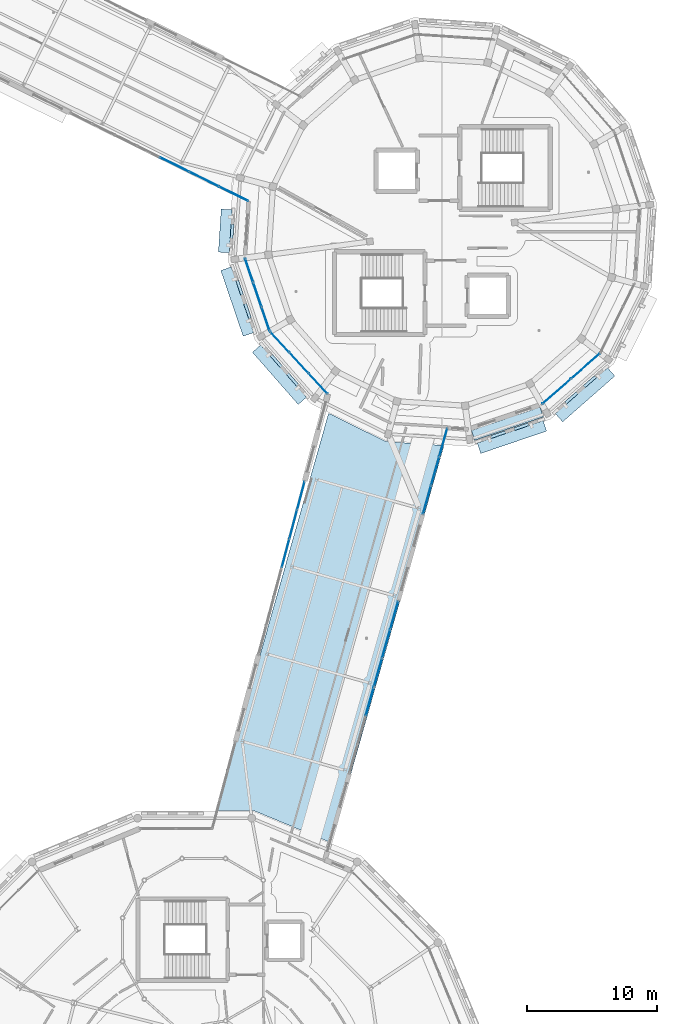
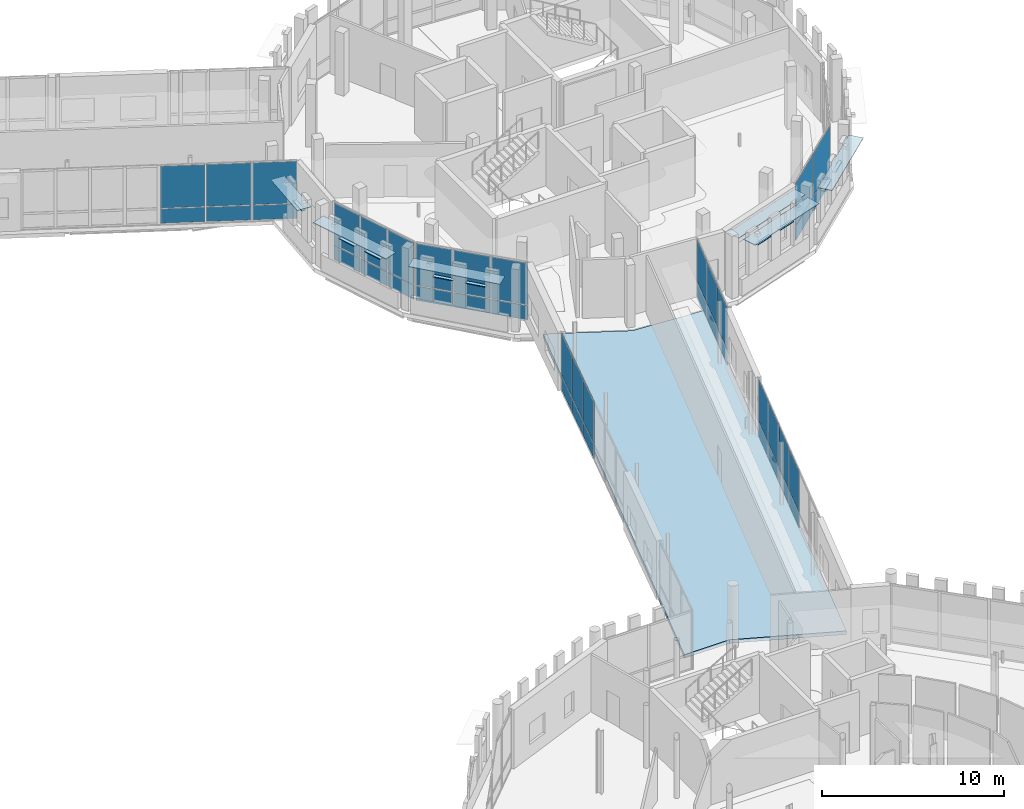
# One storey, part 81 of 125: 57 plates, 1 slab, 8 elements without a shape of their own.
"""IFC4 building model written with IfcOpenShell, lengths in metres."""

from ifc_helpers import new_model, si_unit, direction, frame, origin, origin_2d, place, context, subcontext, project, spatial, polyline, rectangle, outline, extrude, material, layer, layer_set, type_object, element, aggregate, save


model = new_model("IFC4")

# Units and contexts
model_context = context("Model", 3, precision=1e-05, world=origin(), true_north=direction((0.0, 1.0)))
body_context = subcontext(model_context, "Body", "Model", "MODEL_VIEW")
ifc_project = project(units=[si_unit("LENGTHUNIT", "METRE"), si_unit("AREAUNIT", "SQUARE_METRE"), si_unit("VOLUMEUNIT", "CUBIC_METRE"), si_unit("PLANEANGLEUNIT", "RADIAN"), si_unit("MASSUNIT", "GRAM", prefix="KILO")], contexts=[model_context])

# Site, building, storey
site_placement = place(None, origin())
site = spatial("IfcSite", under=ifc_project, at=site_placement, CompositionType="ELEMENT")
building_placement = place(site_placement, origin())
building = spatial("IfcBuilding", under=site, at=building_placement, Name="Wrenclough Park School", CompositionType="ELEMENT")
storey_placement = place(building_placement, frame((0.0, 0.0, 4.199951171875)))
storey = spatial("IfcBuildingStorey", under=building, at=storey_placement, Name="L01", CompositionType="ELEMENT", Elevation=4.199951171875)

# Curtain wall, plates
ifc_material_1 = material(Name="Thermally broken aluminium and low-e glass curtain wall", Category="aluminium")
curtain_wall_type_1 = type_object("IfcCurtainWallType", Name="ENV-CW-09", PredefinedType="USERDEFINED", material=ifc_material_1)
curtain_wall_1_placement = place(storey_placement, origin())
curtain_wall_1 = element("IfcCurtainWall", 1, at=curtain_wall_1_placement, inside=storey, type_object=curtain_wall_type_1, Name="L01 recessed curtain wall assembly 120", ObjectType="CURTAIN WALL", PredefinedType="USERDEFINED")
ifc_material_2 = material(Name="Double-glazed solar-control low-e glass", Category="glass")
ifc_layer_1 = layer(ifc_material_2, 0.02587890625)
ifc_layer_set_1 = layer_set([ifc_layer_1], Name="Double-glazed solar-control low-e glass")
plate_type_1 = type_object("IfcPlateType", Name="ENV-CWP-GL26", PredefinedType="CURTAIN_PANEL", material=ifc_layer_set_1)
plate_1_placement = place(storey_placement, frame((174.572998046875, 77.33642578125, 0.06005859375), z_axis=(0.0, 0.0, 1.0), x_axis=(-0.272826107905, -0.962063363218, 0.0)))
plate_1 = element("IfcPlate", 2, at=plate_1_placement, type_object=plate_type_1, Name="CW-09 panel 1.1", PredefinedType="CURTAIN_PANEL", context=body_context, shape_type="SweptSolid", body=[
    extrude(rectangle(XDim=2.20361328125, YDim=0.02587890625, at=origin_2d()), origin(), (0.0, 0.0, 1.0), 0.9599609375),
])
plate_2_placement = place(storey_placement, frame((174.572998046875, 77.33642578125, 1.080078125), z_axis=(0.0, 0.0, 1.0), x_axis=(-0.272826107905, -0.962063363218, 0.0)))
plate_2 = element("IfcPlate", 3, at=plate_2_placement, type_object=plate_type_1, Name="CW-09 panel 1.2", PredefinedType="CURTAIN_PANEL", context=body_context, shape_type="SweptSolid", body=[
    extrude(rectangle(XDim=2.20361328125, YDim=0.02587890625, at=origin_2d()), origin(), (0.0, 0.0, 1.0), 2.800048828125),
])
plate_3_placement = place(storey_placement, frame((173.951416015625, 75.144287109375, 0.06005859375), z_axis=(0.0, 0.0, 1.0), x_axis=(-0.272826107905, -0.962063363218, 0.0)))
plate_3 = element("IfcPlate", 4, at=plate_3_placement, type_object=plate_type_1, Name="CW-09 panel 2.1", PredefinedType="CURTAIN_PANEL", context=body_context, shape_type="SweptSolid", body=[
    extrude(rectangle(XDim=2.233642578125, YDim=0.02587890625, at=origin_2d()), origin(), (0.0, 0.0, 1.0), 0.9599609375),
])
plate_4_placement = place(storey_placement, frame((173.951416015625, 75.144287109375, 1.080078125), z_axis=(0.0, 0.0, 1.0), x_axis=(-0.272826107905, -0.962063363218, 0.0)))
plate_4 = element("IfcPlate", 5, at=plate_4_placement, type_object=plate_type_1, Name="CW-09 panel 2.2", PredefinedType="CURTAIN_PANEL", context=body_context, shape_type="SweptSolid", body=[
    extrude(rectangle(XDim=2.233642578125, YDim=0.02587890625, at=origin_2d()), origin(), (0.0, 0.0, 1.0), 2.800048828125),
])
plate_5_placement = place(storey_placement, frame((173.32958984375, 72.9521484375, 0.06005859375), z_axis=(0.0, 0.0, 1.0), x_axis=(-0.272826107905, -0.962063363218, 0.0)))
plate_5 = element("IfcPlate", 6, at=plate_5_placement, type_object=plate_type_1, Name="CW-09 panel 3.1", PredefinedType="CURTAIN_PANEL", context=body_context, shape_type="SweptSolid", body=[
    extrude(rectangle(XDim=2.20361328125, YDim=0.02587890625, at=origin_2d()), origin(), (0.0, 0.0, 1.0), 0.9599609375),
])
plate_6_placement = place(storey_placement, frame((173.32958984375, 72.9521484375, 1.080078125), z_axis=(0.0, 0.0, 1.0), x_axis=(-0.272826107905, -0.962063363218, 0.0)))
plate_6 = element("IfcPlate", 7, at=plate_6_placement, type_object=plate_type_1, Name="CW-09 panel 3.2", PredefinedType="CURTAIN_PANEL", context=body_context, shape_type="SweptSolid", body=[
    extrude(rectangle(XDim=2.20361328125, YDim=0.02587890625, at=origin_2d()), origin(), (0.0, 0.0, 1.0), 2.800048828125),
])
aggregate(curtain_wall_1, [plate_1, plate_2, plate_3, plate_4, plate_5, plate_6])

curtain_wall_type_2 = type_object("IfcCurtainWallType", Name="ENV-CW-13", PredefinedType="USERDEFINED", material=ifc_material_1)
curtain_wall_2_placement = place(storey_placement, origin())
curtain_wall_2 = element("IfcCurtainWall", 8, at=curtain_wall_2_placement, inside=storey, type_object=curtain_wall_type_2, Name="L01 recessed curtain wall assembly 156", ObjectType="CURTAIN WALL", PredefinedType="USERDEFINED")
plate_7_placement = place(storey_placement, frame((162.477294921875, 68.850341796875, 0.06005859375), z_axis=(0.0, 0.0, 1.0), x_axis=(0.256899612745, 0.966438093709, 0.0)))
plate_7 = element("IfcPlate", 9, at=plate_7_placement, type_object=plate_type_1, Name="CW-13 panel 1.1", PredefinedType="CURTAIN_PANEL", context=body_context, shape_type="SweptSolid", body=[
    extrude(rectangle(XDim=2.207763671875, YDim=0.02587890625, at=origin_2d()), origin(), (0.0, 0.0, 1.0), 0.9599609375),
])
plate_8_placement = place(storey_placement, frame((162.477294921875, 68.850341796875, 1.080078125), z_axis=(0.0, 0.0, 1.0), x_axis=(0.256899612745, 0.966438093709, 0.0)))
plate_8 = element("IfcPlate", 10, at=plate_8_placement, type_object=plate_type_1, Name="CW-13 panel 1.2", PredefinedType="CURTAIN_PANEL", context=body_context, shape_type="SweptSolid", body=[
    extrude(rectangle(XDim=2.207763671875, YDim=0.02587890625, at=origin_2d()), origin(), (0.0, 0.0, 1.0), 2.800048828125),
])
plate_9_placement = place(storey_placement, frame((163.063720703125, 71.056640625, 0.06005859375), z_axis=(0.0, 0.0, 1.0), x_axis=(0.256899612745, 0.966438093709, 0.0)))
plate_9 = element("IfcPlate", 11, at=plate_9_placement, type_object=plate_type_1, Name="CW-13 panel 2.1", PredefinedType="CURTAIN_PANEL", context=body_context, shape_type="SweptSolid", body=[
    extrude(rectangle(XDim=2.23779296875, YDim=0.02587890625, at=origin_2d()), origin(), (0.0, 0.0, 1.0), 0.9599609375),
])
plate_10_placement = place(storey_placement, frame((163.063720703125, 71.056640625, 1.080078125), z_axis=(0.0, 0.0, 1.0), x_axis=(0.256899612745, 0.966438093709, 0.0)))
plate_10 = element("IfcPlate", 12, at=plate_10_placement, type_object=plate_type_1, Name="CW-13 panel 2.2", PredefinedType="CURTAIN_PANEL", context=body_context, shape_type="SweptSolid", body=[
    extrude(rectangle(XDim=2.23779296875, YDim=0.02587890625, at=origin_2d()), origin(), (0.0, 0.0, 1.0), 2.800048828125),
])
plate_11_placement = place(storey_placement, frame((163.650146484375, 73.2626953125, 0.06005859375), z_axis=(0.0, 0.0, 1.0), x_axis=(0.256899612745, 0.966438093709, 0.0)))
plate_11 = element("IfcPlate", 13, at=plate_11_placement, type_object=plate_type_1, Name="CW-13 panel 3.1", PredefinedType="CURTAIN_PANEL", context=body_context, shape_type="SweptSolid", body=[
    extrude(rectangle(XDim=2.207763671875, YDim=0.02587890625, at=origin_2d()), origin(), (0.0, 0.0, 1.0), 0.9599609375),
])
plate_12_placement = place(storey_placement, frame((163.650146484375, 73.2626953125, 1.080078125), z_axis=(0.0, 0.0, 1.0), x_axis=(0.256899612745, 0.966438093709, 0.0)))
plate_12 = element("IfcPlate", 14, at=plate_12_placement, type_object=plate_type_1, Name="CW-13 panel 3.2", PredefinedType="CURTAIN_PANEL", context=body_context, shape_type="SweptSolid", body=[
    extrude(rectangle(XDim=2.207763671875, YDim=0.02587890625, at=origin_2d()), origin(), (0.0, 0.0, 1.0), 2.800048828125),
])
aggregate(curtain_wall_2, [plate_7, plate_8, plate_9, plate_10, plate_11, plate_12])

curtain_wall_type_3 = type_object("IfcCurtainWallType", Name="ENV-CW-10", PredefinedType="USERDEFINED", material=ifc_material_1)
curtain_wall_3_placement = place(storey_placement, origin())
curtain_wall_3 = element("IfcCurtainWall", 15, at=curtain_wall_3_placement, inside=storey, type_object=curtain_wall_type_3, Name="L01 recessed curtain wall assembly 121", ObjectType="CURTAIN WALL", PredefinedType="USERDEFINED")
ifc_material_3 = material(Name="Double-glazed acoustic low-e glass", Category="glass")
ifc_layer_2 = layer(ifc_material_3, 0.030029296875)
ifc_layer_set_2 = layer_set([ifc_layer_2], Name="Double-glazed acoustic low-e glass")
plate_type_2 = type_object("IfcPlateType", Name="ENV-CWP-GL30", PredefinedType="CURTAIN_PANEL", material=ifc_layer_set_2)
plate_13_placement = place(storey_placement, frame((170.813720703125, 64.080078125, 0.06494140625), z_axis=(0.0, 0.0, 1.0), x_axis=(-0.272826107905, -0.962063363218, 0.0)))
plate_13 = element("IfcPlate", 16, at=plate_13_placement, type_object=plate_type_2, Name="CW-10 panel 1.1", PredefinedType="CURTAIN_PANEL", context=body_context, shape_type="SweptSolid", body=[
    extrude(rectangle(XDim=2.196044921875, YDim=0.030029296875, at=origin_2d()), origin(), (0.0, 0.0, 1.0), 0.952392578125),
])
plate_14_placement = place(storey_placement, frame((170.813720703125, 64.080078125, 1.08251953125), z_axis=(0.0, 0.0, 1.0), x_axis=(-0.272826107905, -0.962063363218, 0.0)))
plate_14 = element("IfcPlate", 17, at=plate_14_placement, type_object=plate_type_2, Name="CW-10 panel 1.2", PredefinedType="CURTAIN_PANEL", context=body_context, shape_type="SweptSolid", body=[
    extrude(rectangle(XDim=2.196044921875, YDim=0.030029296875, at=origin_2d()), origin(), (0.0, 0.0, 1.0), 2.79248046875),
])
plate_15_placement = place(storey_placement, frame((170.1923828125, 61.88916015625, 0.06494140625), z_axis=(0.0, 0.0, 1.0), x_axis=(-0.272826107905, -0.962063363218, 0.0)))
plate_15 = element("IfcPlate", 18, at=plate_15_placement, type_object=plate_type_2, Name="CW-10 panel 2.1", PredefinedType="CURTAIN_PANEL", context=body_context, shape_type="SweptSolid", body=[
    extrude(rectangle(XDim=2.228759765625, YDim=0.030029296875, at=origin_2d()), origin(), (0.0, 0.0, 1.0), 0.952392578125),
])
plate_16_placement = place(storey_placement, frame((170.1923828125, 61.88916015625, 1.08251953125), z_axis=(0.0, 0.0, 1.0), x_axis=(-0.272826107905, -0.962063363218, 0.0)))
plate_16 = element("IfcPlate", 19, at=plate_16_placement, type_object=plate_type_2, Name="CW-10 panel 2.2", PredefinedType="CURTAIN_PANEL", context=body_context, shape_type="SweptSolid", body=[
    extrude(rectangle(XDim=2.228759765625, YDim=0.030029296875, at=origin_2d()), origin(), (0.0, 0.0, 1.0), 2.79248046875),
])
plate_17_placement = place(storey_placement, frame((169.571044921875, 59.6982421875, 0.06494140625), z_axis=(0.0, 0.0, 1.0), x_axis=(-0.272826107905, -0.962063363218, 0.0)))
plate_17 = element("IfcPlate", 20, at=plate_17_placement, type_object=plate_type_2, Name="CW-10 panel 3.1", PredefinedType="CURTAIN_PANEL", context=body_context, shape_type="SweptSolid", body=[
    extrude(rectangle(XDim=2.196044921875, YDim=0.030029296875, at=origin_2d()), origin(), (0.0, 0.0, 1.0), 0.952392578125),
])
plate_18_placement = place(storey_placement, frame((169.571044921875, 59.6982421875, 1.08251953125), z_axis=(0.0, 0.0, 1.0), x_axis=(-0.272826107905, -0.962063363218, 0.0)))
plate_18 = element("IfcPlate", 21, at=plate_18_placement, type_object=plate_type_2, Name="CW-10 panel 3.2", PredefinedType="CURTAIN_PANEL", context=body_context, shape_type="SweptSolid", body=[
    extrude(rectangle(XDim=2.196044921875, YDim=0.030029296875, at=origin_2d()), origin(), (0.0, 0.0, 1.0), 2.79248046875),
])
aggregate(curtain_wall_3, [plate_13, plate_14, plate_15, plate_16, plate_17, plate_18])

curtain_wall_type_4 = type_object("IfcCurtainWallType", Name="ENV-CW-11", PredefinedType="USERDEFINED", material=ifc_material_1)
curtain_wall_4_placement = place(storey_placement, origin())
curtain_wall_4 = element("IfcCurtainWall", 22, at=curtain_wall_4_placement, inside=storey, type_object=curtain_wall_type_4, Name="L01 recessed curtain wall assembly 122", ObjectType="CURTAIN WALL", PredefinedType="USERDEFINED")
ifc_material_4 = material(Name="Triple-glazed senior-lab low-e glass", Category="glass")
ifc_layer_3 = layer(ifc_material_4, 0.033935546875)
ifc_layer_set_3 = layer_set([ifc_layer_3], Name="Triple-glazed senior-lab low-e glass")
plate_type_3 = type_object("IfcPlateType", Name="ENV-CWP-GL34", PredefinedType="CURTAIN_PANEL", material=ifc_layer_set_3)
plate_19_placement = place(storey_placement, frame((168.933837890625, 57.451416015625, 0.06982421875), z_axis=(0.0, 0.0, 1.0), x_axis=(-0.272808842354, -0.96206825929, 0.0)))
plate_19 = element("IfcPlate", 23, at=plate_19_placement, type_object=plate_type_3, Name="CW-11 panel 1.1", PredefinedType="CURTAIN_PANEL", context=body_context, shape_type="SweptSolid", body=[
    extrude(rectangle(XDim=2.188720703125, YDim=0.033935546875, at=origin_2d()), origin(), (0.0, 0.0, 1.0), 0.945068359375),
])
plate_20_placement = place(storey_placement, frame((168.933837890625, 57.451416015625, 1.0849609375), z_axis=(0.0, 0.0, 1.0), x_axis=(-0.272808842354, -0.96206825929, 0.0)))
plate_20 = element("IfcPlate", 24, at=plate_20_placement, type_object=plate_type_3, Name="CW-11 panel 1.2", PredefinedType="CURTAIN_PANEL", context=body_context, shape_type="SweptSolid", body=[
    extrude(rectangle(XDim=2.188720703125, YDim=0.033935546875, at=origin_2d()), origin(), (0.0, 0.0, 1.0), 2.784912109375),
])
aggregate(curtain_wall_4, [plate_19, plate_20])

curtain_wall_type_5 = type_object("IfcCurtainWallType", Name="ENV-CW-14", PredefinedType="USERDEFINED", material=ifc_material_1)
curtain_wall_5_placement = place(storey_placement, origin())
curtain_wall_5 = element("IfcCurtainWall", 25, at=curtain_wall_5_placement, inside=storey, type_object=curtain_wall_type_5, Name="L01 recessed curtain wall assembly 157", ObjectType="CURTAIN WALL", PredefinedType="USERDEFINED")
ifc_material_5 = material(Name="Insulated anodised aluminium spandrel panel", Category="aluminium")
ifc_layer_4 = layer(ifc_material_5, 0.0419921875)
ifc_layer_set_4 = layer_set([ifc_layer_4], Name="Insulated anodised aluminium spandrel panel")
plate_type_4 = type_object("IfcPlateType", Name="ENV-CWP-SP42", PredefinedType="CURTAIN_PANEL", material=ifc_layer_set_4)
plate_21_placement = place(storey_placement, frame((164.968017578125, 81.875244140625, 0.06494140625), z_axis=(0.0, 0.0, 1.0), x_axis=(-0.68021471001, 0.733012925047, 0.0)))
plate_21 = element("IfcPlate", 26, at=plate_21_placement, type_object=plate_type_4, Name="CW-14 panel 1.1", PredefinedType="CURTAIN_PANEL", context=body_context, shape_type="SweptSolid", body=[
    extrude(rectangle(XDim=2.08251953125, YDim=0.0419921875, at=origin_2d()), origin(), (0.0, 0.0, 1.0), 0.952392578125),
])
plate_22_placement = place(storey_placement, frame((164.968017578125, 81.875244140625, 1.08251953125), z_axis=(0.0, 0.0, 1.0), x_axis=(-0.68021471001, 0.733012925047, 0.0)))
plate_22 = element("IfcPlate", 27, at=plate_22_placement, type_object=plate_type_4, Name="CW-14 panel 1.2", PredefinedType="CURTAIN_PANEL", context=body_context, shape_type="SweptSolid", body=[
    extrude(rectangle(XDim=2.08251953125, YDim=0.0419921875, at=origin_2d()), origin(), (0.0, 0.0, 1.0), 2.79248046875),
])
plate_23_placement = place(storey_placement, frame((163.49609375, 83.461181640625, 0.06494140625), z_axis=(0.0, 0.0, 1.0), x_axis=(-0.68021471001, 0.733012925047, 0.0)))
plate_23 = element("IfcPlate", 28, at=plate_23_placement, type_object=plate_type_4, Name="CW-14 panel 2.1", PredefinedType="CURTAIN_PANEL", context=body_context, shape_type="SweptSolid", body=[
    extrude(rectangle(XDim=2.114990234375, YDim=0.0419921875, at=origin_2d()), origin(), (0.0, 0.0, 1.0), 0.952392578125),
])
plate_24_placement = place(storey_placement, frame((163.49609375, 83.461181640625, 1.08251953125), z_axis=(0.0, 0.0, 1.0), x_axis=(-0.68021471001, 0.733012925047, 0.0)))
plate_24 = element("IfcPlate", 29, at=plate_24_placement, type_object=plate_type_4, Name="CW-14 panel 2.2", PredefinedType="CURTAIN_PANEL", context=body_context, shape_type="SweptSolid", body=[
    extrude(rectangle(XDim=2.114990234375, YDim=0.0419921875, at=origin_2d()), origin(), (0.0, 0.0, 1.0), 2.79248046875),
])
plate_25_placement = place(storey_placement, frame((162.024169921875, 85.04736328125, 0.06494140625), z_axis=(0.0, 0.0, 1.0), x_axis=(-0.68021471001, 0.733012925047, 0.0)))
plate_25 = element("IfcPlate", 30, at=plate_25_placement, type_object=plate_type_4, Name="CW-14 panel 3.1", PredefinedType="CURTAIN_PANEL", context=body_context, shape_type="SweptSolid", body=[
    extrude(rectangle(XDim=2.08251953125, YDim=0.0419921875, at=origin_2d()), origin(), (0.0, 0.0, 1.0), 0.952392578125),
])
plate_26_placement = place(storey_placement, frame((162.024169921875, 85.04736328125, 1.08251953125), z_axis=(0.0, 0.0, 1.0), x_axis=(-0.68021471001, 0.733012925047, 0.0)))
plate_26 = element("IfcPlate", 31, at=plate_26_placement, type_object=plate_type_4, Name="CW-14 panel 3.2", PredefinedType="CURTAIN_PANEL", context=body_context, shape_type="SweptSolid", body=[
    extrude(rectangle(XDim=2.08251953125, YDim=0.0419921875, at=origin_2d()), origin(), (0.0, 0.0, 1.0), 2.79248046875),
])
aggregate(curtain_wall_5, [plate_21, plate_22, plate_23, plate_24, plate_25, plate_26])

curtain_wall_type_6 = type_object("IfcCurtainWallType", Name="ENV-CW-15", PredefinedType="USERDEFINED", material=ifc_material_1)
curtain_wall_6_placement = place(storey_placement, origin())
curtain_wall_6 = element("IfcCurtainWall", 32, at=curtain_wall_6_placement, inside=storey, type_object=curtain_wall_type_6, Name="L01 recessed curtain wall assembly 158", ObjectType="CURTAIN WALL", PredefinedType="USERDEFINED")
ifc_material_6 = material(Name="Insulated patinated copper-toned spandrel panel", Category="aluminium")
ifc_layer_5 = layer(ifc_material_6, 0.048095703125)
ifc_layer_set_5 = layer_set([ifc_layer_5], Name="Insulated patinated copper-toned spandrel panel")
plate_type_5 = type_object("IfcPlateType", Name="ENV-CWP-SP48", PredefinedType="CURTAIN_PANEL", material=ifc_layer_set_5)
plate_27_placement = place(storey_placement, frame((160.943359375, 86.821044921875, 0.06982421875), z_axis=(0.0, 0.0, 1.0), x_axis=(-0.321428688473, 0.946933787668, 0.0)))
plate_27 = element("IfcPlate", 33, at=plate_27_placement, type_object=plate_type_5, Name="CW-15 panel 1.1", PredefinedType="CURTAIN_PANEL", context=body_context, shape_type="SweptSolid", body=[
    extrude(rectangle(XDim=1.87939453125, YDim=0.048095703125, at=origin_2d()), origin(), (0.0, 0.0, 1.0), 0.945068359375),
])
plate_28_placement = place(storey_placement, frame((160.943359375, 86.821044921875, 1.0849609375), z_axis=(0.0, 0.0, 1.0), x_axis=(-0.321428688473, 0.946933787668, 0.0)))
plate_28 = element("IfcPlate", 34, at=plate_28_placement, type_object=plate_type_5, Name="CW-15 panel 1.2", PredefinedType="CURTAIN_PANEL", context=body_context, shape_type="SweptSolid", body=[
    extrude(rectangle(XDim=1.87939453125, YDim=0.048095703125, at=origin_2d()), origin(), (0.0, 0.0, 1.0), 2.784912109375),
])
plate_29_placement = place(storey_placement, frame((160.31103515625, 88.68359375, 0.06982421875), z_axis=(0.0, 0.0, 1.0), x_axis=(-0.321428688473, 0.946933787668, 0.0)))
plate_29 = element("IfcPlate", 35, at=plate_29_placement, type_object=plate_type_5, Name="CW-15 panel 2.1", PredefinedType="CURTAIN_PANEL", context=body_context, shape_type="SweptSolid", body=[
    extrude(rectangle(XDim=1.914306640625, YDim=0.048095703125, at=origin_2d()), origin(), (0.0, 0.0, 1.0), 0.945068359375),
])
plate_30_placement = place(storey_placement, frame((160.31103515625, 88.68359375, 1.0849609375), z_axis=(0.0, 0.0, 1.0), x_axis=(-0.321428688473, 0.946933787668, 0.0)))
plate_30 = element("IfcPlate", 36, at=plate_30_placement, type_object=plate_type_5, Name="CW-15 panel 2.2", PredefinedType="CURTAIN_PANEL", context=body_context, shape_type="SweptSolid", body=[
    extrude(rectangle(XDim=1.914306640625, YDim=0.048095703125, at=origin_2d()), origin(), (0.0, 0.0, 1.0), 2.784912109375),
])
plate_31_placement = place(storey_placement, frame((159.678955078125, 90.5458984375, 0.06982421875), z_axis=(0.0, 0.0, 1.0), x_axis=(-0.321428688473, 0.946933787668, 0.0)))
plate_31 = element("IfcPlate", 37, at=plate_31_placement, type_object=plate_type_5, Name="CW-15 panel 3.1", PredefinedType="CURTAIN_PANEL", context=body_context, shape_type="SweptSolid", body=[
    extrude(rectangle(XDim=1.87939453125, YDim=0.048095703125, at=origin_2d()), origin(), (0.0, 0.0, 1.0), 0.945068359375),
])
plate_32_placement = place(storey_placement, frame((159.678955078125, 90.5458984375, 1.0849609375), z_axis=(0.0, 0.0, 1.0), x_axis=(-0.321428688473, 0.946933787668, 0.0)))
plate_32 = element("IfcPlate", 38, at=plate_32_placement, type_object=plate_type_5, Name="CW-15 panel 3.2", PredefinedType="CURTAIN_PANEL", context=body_context, shape_type="SweptSolid", body=[
    extrude(rectangle(XDim=1.87939453125, YDim=0.048095703125, at=origin_2d()), origin(), (0.0, 0.0, 1.0), 2.784912109375),
])
aggregate(curtain_wall_6, [plate_27, plate_28, plate_29, plate_30, plate_31, plate_32])

curtain_wall_type_7 = type_object("IfcCurtainWallType", Name="ENV-CW-08", PredefinedType="USERDEFINED", material=ifc_material_1)
curtain_wall_7_placement = place(storey_placement, origin())
curtain_wall_7 = element("IfcCurtainWall", 39, at=curtain_wall_7_placement, inside=storey, type_object=curtain_wall_type_7, Name="L01 recessed curtain wall assembly 119", ObjectType="CURTAIN WALL", PredefinedType="USERDEFINED")
ifc_material_7 = material(Name="Acoustic mineral-wool spandrel cassette", Category="aluminium")
ifc_layer_6 = layer(ifc_material_7, 0.053955078125)
ifc_layer_set_6 = layer_set([ifc_layer_6], Name="Acoustic mineral-wool spandrel cassette")
plate_type_6 = type_object("IfcPlateType", Name="ENV-CWP-SP54", PredefinedType="CURTAIN_PANEL", material=ifc_layer_set_6)
plate_33_placement = place(storey_placement, frame((185.4853515625, 83.2041015625, 0.06982421875), z_axis=(0.0, 0.0, 1.0), x_axis=(-0.751822807743, -0.65936519908, 0.0)))
plate_33 = element("IfcPlate", 40, at=plate_33_placement, type_object=plate_type_6, Name="CW-08 panel 1.1", PredefinedType="CURTAIN_PANEL", context=body_context, shape_type="SweptSolid", body=[
    extrude(rectangle(XDim=2.87158203125, YDim=0.053955078125, at=origin_2d()), origin(), (0.0, 0.0, 1.0), 0.945068359375),
])
plate_34_placement = place(storey_placement, frame((185.4853515625, 83.2041015625, 1.0849609375), z_axis=(0.0, 0.0, 1.0), x_axis=(-0.751822807743, -0.65936519908, 0.0)))
plate_34 = element("IfcPlate", 41, at=plate_34_placement, type_object=plate_type_6, Name="CW-08 panel 1.2", PredefinedType="CURTAIN_PANEL", context=body_context, shape_type="SweptSolid", body=[
    extrude(rectangle(XDim=2.87158203125, YDim=0.053955078125, at=origin_2d()), origin(), (0.0, 0.0, 1.0), 2.784912109375),
])
plate_35_placement = place(storey_placement, frame((183.27392578125, 81.2646484375, 0.06982421875), z_axis=(0.0, 0.0, 1.0), x_axis=(-0.751822807743, -0.65936519908, 0.0)))
plate_35 = element("IfcPlate", 42, at=plate_35_placement, type_object=plate_type_6, Name="CW-08 panel 2.1", PredefinedType="CURTAIN_PANEL", context=body_context, shape_type="SweptSolid", body=[
    extrude(rectangle(XDim=2.87158203125, YDim=0.053955078125, at=origin_2d()), origin(), (0.0, 0.0, 1.0), 0.945068359375),
])
plate_36_placement = place(storey_placement, frame((183.27392578125, 81.2646484375, 1.0849609375), z_axis=(0.0, 0.0, 1.0), x_axis=(-0.751822807743, -0.65936519908, 0.0)))
plate_36 = element("IfcPlate", 43, at=plate_36_placement, type_object=plate_type_6, Name="CW-08 panel 2.2", PredefinedType="CURTAIN_PANEL", context=body_context, shape_type="SweptSolid", body=[
    extrude(rectangle(XDim=2.87158203125, YDim=0.053955078125, at=origin_2d()), origin(), (0.0, 0.0, 1.0), 2.784912109375),
])
aggregate(curtain_wall_7, [plate_33, plate_34, plate_35, plate_36])

curtain_wall_type_8 = type_object("IfcCurtainWallType", Name="ENV-CW-16", PredefinedType="USERDEFINED", material=ifc_material_1)
curtain_wall_8_placement = place(storey_placement, origin())
curtain_wall_8 = element("IfcCurtainWall", 44, at=curtain_wall_8_placement, inside=storey, type_object=curtain_wall_type_8, Name="L01 recessed curtain wall assembly 159", ObjectType="CURTAIN WALL", PredefinedType="USERDEFINED")
plate_37_placement = place(storey_placement, frame((158.48095703125, 96.428466796875, 0.06005859375), z_axis=(0.0, 0.0, 1.0), x_axis=(-0.896267099488, 0.443514696909, 0.0)))
plate_37 = element("IfcPlate", 45, at=plate_37_placement, type_object=plate_type_6, Name="CW-16 panel 1.1", PredefinedType="CURTAIN_PANEL", context=body_context, shape_type="SweptSolid", body=[
    extrude(rectangle(XDim=2.453857421875, YDim=0.053955078125, at=origin_2d()), origin(), (0.0, 0.0, 1.0), 0.9599609375),
])
plate_38_placement = place(storey_placement, frame((158.48095703125, 96.428466796875, 1.080078125), z_axis=(0.0, 0.0, 1.0), x_axis=(-0.896267099488, 0.443514696909, 0.0)))
plate_38 = element("IfcPlate", 46, at=plate_38_placement, type_object=plate_type_6, Name="CW-16 panel 1.2", PredefinedType="CURTAIN_PANEL", context=body_context, shape_type="SweptSolid", body=[
    extrude(rectangle(XDim=2.453857421875, YDim=0.053955078125, at=origin_2d()), origin(), (0.0, 0.0, 1.0), 2.800048828125),
])
plate_39_placement = place(storey_placement, frame((156.21435546875, 97.550048828125, 0.06005859375), z_axis=(0.0, 0.0, 1.0), x_axis=(-0.896267099488, 0.443514696909, 0.0)))
plate_39 = element("IfcPlate", 47, at=plate_39_placement, type_object=plate_type_6, Name="CW-16 panel 2.1", PredefinedType="CURTAIN_PANEL", context=body_context, shape_type="SweptSolid", body=[
    extrude(rectangle(XDim=2.48388671875, YDim=0.053955078125, at=origin_2d()), origin(), (0.0, 0.0, 1.0), 0.9599609375),
])
plate_40_placement = place(storey_placement, frame((156.21435546875, 97.550048828125, 1.080078125), z_axis=(0.0, 0.0, 1.0), x_axis=(-0.896267099488, 0.443514696909, 0.0)))
plate_40 = element("IfcPlate", 48, at=plate_40_placement, type_object=plate_type_6, Name="CW-16 panel 2.2", PredefinedType="CURTAIN_PANEL", context=body_context, shape_type="SweptSolid", body=[
    extrude(rectangle(XDim=2.48388671875, YDim=0.053955078125, at=origin_2d()), origin(), (0.0, 0.0, 1.0), 2.800048828125),
])
plate_41_placement = place(storey_placement, frame((153.94775390625, 98.671630859375, 0.06005859375), z_axis=(0.0, 0.0, 1.0), x_axis=(-0.896267099488, 0.443514696909, 0.0)))
plate_41 = element("IfcPlate", 49, at=plate_41_placement, type_object=plate_type_6, Name="CW-16 panel 3.1", PredefinedType="CURTAIN_PANEL", context=body_context, shape_type="SweptSolid", body=[
    extrude(rectangle(XDim=2.453857421875, YDim=0.053955078125, at=origin_2d()), origin(), (0.0, 0.0, 1.0), 0.9599609375),
])
plate_42_placement = place(storey_placement, frame((153.94775390625, 98.671630859375, 1.080078125), z_axis=(0.0, 0.0, 1.0), x_axis=(-0.896267099488, 0.443514696909, 0.0)))
plate_42 = element("IfcPlate", 50, at=plate_42_placement, type_object=plate_type_6, Name="CW-16 panel 3.2", PredefinedType="CURTAIN_PANEL", context=body_context, shape_type="SweptSolid", body=[
    extrude(rectangle(XDim=2.453857421875, YDim=0.053955078125, at=origin_2d()), origin(), (0.0, 0.0, 1.0), 2.800048828125),
])
aggregate(curtain_wall_8, [plate_37, plate_38, plate_39, plate_40, plate_41, plate_42])

# Plates
ifc_material_8 = material(Name="Anodised architectural aluminium solar shading fin plate", Category="aluminium")
ifc_layer_7 = layer(ifc_material_8, 0.0380859375)
ifc_layer_set_7 = layer_set([ifc_layer_7], Name="Anodised architectural aluminium solar shading fin plate")
plate_type_7 = type_object("IfcPlateType", Name="ENV-PL-BSF", PredefinedType="SHEET", material=ifc_layer_set_7)
plate_43_placement = place(storey_placement, frame((158.3671875, 93.54345703125, 2.72216796875), z_axis=(0.0, 0.0, 1.0), x_axis=(-0.065391631825, -0.997859676752, 0.0)))
element("IfcPlate", 51, at=plate_43_placement, inside=storey, type_object=plate_type_7, Name="D5 L01 open-bond brick screen tie band 0270", PredefinedType="SHEET", context=body_context, shape_type="SweptSolid", body=[
    extrude(rectangle(XDim=1.096435546875, YDim=0.219970703125, at=origin_2d()), origin(), (0.0, 0.0, 1.0), 0.0419921875),
])
plate_44_placement = place(storey_placement, frame((157.850830078125, 93.577392578125, 3.700927734375), z_axis=(0.0, 0.0, 1.0), x_axis=(-0.065391631825, -0.997859676752, 0.0)))
element("IfcPlate", 52, at=plate_44_placement, inside=storey, type_object=plate_type_7, Name="D5 L01 sun-side projecting brise-soleil blade 0034", PredefinedType="SHEET", context=body_context, shape_type="SweptSolid", body=[
    extrude(rectangle(XDim=3.30908203125, YDim=0.85009765625, at=origin_2d()), origin(), (0.0, 0.0, 1.0), 0.0380859375),
])
for number, where, z_axis, x_axis, name in (
    (53, (158.95166015625, 89.21337890625, 2.72216796875), (0.0, 0.0, 1.0), (0.321426842345, -0.946934414318, 0.0), "D5 L01 open-bond brick screen tie band 0271"),
    (54, (159.55517578125, 87.435546875, 2.72216796875), (0.0, 0.0, 1.0), (0.321426842345, -0.946934414318, 0.0), "D5 L01 open-bond brick screen tie band 0272"),
):
    element("IfcPlate", number, at=place(storey_placement, frame(where, z_axis=z_axis, x_axis=x_axis)), inside=storey, type_object=plate_type_7, Name=name, PredefinedType="SHEET", context=body_context, shape_type="SweptSolid", body=[
        extrude(rectangle(XDim=1.16748046875, YDim=0.219970703125, at=origin_2d()), origin(), (0.0, 0.0, 1.0), 0.0419921875),
    ])
plate_45_placement = place(storey_placement, frame((158.763427734375, 88.158203125, 3.700927734375), z_axis=(0.0, 0.0, 1.0), x_axis=(0.321426842345, -0.946934414318, 0.0)))
element("IfcPlate", 55, at=plate_45_placement, inside=storey, type_object=plate_type_7, Name="D5 L01 sun-side projecting brise-soleil blade 0035", PredefinedType="SHEET", context=body_context, shape_type="SweptSolid", body=[
    extrude(rectangle(XDim=5.33251953125, YDim=0.85009765625, at=origin_2d()), origin(), (0.0, 0.0, 1.0), 0.0380859375),
])
for number, where, z_axis, x_axis, name in (
    (56, (161.775390625, 83.58984375, 2.72216796875), (0.0, 0.0, 1.0), (0.659348912876, -0.751837090791, 0.0), "D5 L01 open-bond brick screen tie band 0273"),
    (57, (163.01318359375, 82.17822265625, 2.72216796875), (0.0, 0.0, 1.0), (0.659348912876, -0.751837090791, 0.0), "D5 L01 open-bond brick screen tie band 0274"),
):
    element("IfcPlate", number, at=place(storey_placement, frame(where, z_axis=z_axis, x_axis=x_axis)), inside=storey, type_object=plate_type_7, Name=name, PredefinedType="SHEET", context=body_context, shape_type="SweptSolid", body=[
        extrude(rectangle(XDim=1.16748046875, YDim=0.219970703125, at=origin_2d()), origin(), (0.0, 0.0, 1.0), 0.0419921875),
    ])
plate_46_placement = place(storey_placement, frame((162.00537109375, 82.54296875, 3.700927734375), z_axis=(0.0, 0.0, 1.0), x_axis=(0.659348912876, -0.751837090791, 0.0)))
element("IfcPlate", 58, at=plate_46_placement, inside=storey, type_object=plate_type_7, Name="D5 L01 sun-side projecting brise-soleil blade 0036", PredefinedType="SHEET", context=body_context, shape_type="SweptSolid", body=[
    extrude(rectangle(XDim=5.33203125, YDim=0.85009765625, at=origin_2d()), origin(), (0.0, 0.0, 1.0), 0.0380859375),
])
for number, where, z_axis, x_axis, name in (
    (59, (178.78662109375, 77.95166015625, 2.72216796875), (0.0, 0.0, 1.0), (0.946934414318, 0.321426842345, 0.0), "D5 L01 open-bond brick screen tie band 0275"),
    (60, (180.564208984375, 78.55517578125, 2.72216796875), (0.0, 0.0, 1.0), (0.946934414318, 0.321426842345, 0.0), "D5 L01 open-bond brick screen tie band 0276"),
):
    element("IfcPlate", number, at=place(storey_placement, frame(where, z_axis=z_axis, x_axis=x_axis)), inside=storey, type_object=plate_type_7, Name=name, PredefinedType="SHEET", context=body_context, shape_type="SweptSolid", body=[
        extrude(rectangle(XDim=1.16748046875, YDim=0.219970703125, at=origin_2d()), origin(), (0.0, 0.0, 1.0), 0.0419921875),
    ])
plate_47_placement = place(storey_placement, frame((179.841796875, 77.763427734375, 3.700927734375), z_axis=(0.0, 0.0, 1.0), x_axis=(0.946934414318, 0.321426842345, 0.0)))
element("IfcPlate", 61, at=plate_47_placement, inside=storey, type_object=plate_type_7, Name="D5 L01 sun-side projecting brise-soleil blade 0037", PredefinedType="SHEET", context=body_context, shape_type="SweptSolid", body=[
    extrude(rectangle(XDim=5.33251953125, YDim=0.85009765625, at=origin_2d()), origin(), (0.0, 0.0, 1.0), 0.0380859375),
])
for number, where, z_axis, x_axis, name in (
    (62, (184.41015625, 80.775390625, 2.72216796875), (0.0, 0.0, 1.0), (0.751837090791, 0.659348912876, 0.0), "D5 L01 open-bond brick screen tie band 0277"),
    (63, (185.82177734375, 82.01318359375, 2.72216796875), (0.0, 0.0, 1.0), (0.751837090791, 0.659348912876, 0.0), "D5 L01 open-bond brick screen tie band 0278"),
):
    element("IfcPlate", number, at=place(storey_placement, frame(where, z_axis=z_axis, x_axis=x_axis)), inside=storey, type_object=plate_type_7, Name=name, PredefinedType="SHEET", context=body_context, shape_type="SweptSolid", body=[
        extrude(rectangle(XDim=1.16748046875, YDim=0.219970703125, at=origin_2d()), origin(), (0.0, 0.0, 1.0), 0.0419921875),
    ])
plate_48_placement = place(storey_placement, frame((185.45703125, 81.00537109375, 3.700927734375), z_axis=(0.0, 0.0, 1.0), x_axis=(0.751837090791, 0.659348912876, 0.0)))
element("IfcPlate", 64, at=plate_48_placement, inside=storey, type_object=plate_type_7, Name="D5 L01 sun-side projecting brise-soleil blade 0038", PredefinedType="SHEET", context=body_context, shape_type="SweptSolid", body=[
    extrude(rectangle(XDim=5.33203125, YDim=0.85009765625, at=origin_2d()), origin(), (0.0, 0.0, 1.0), 0.0380859375),
])
plate_49_placement = place(storey_placement, frame((179.494140625, 78.787841796875, 3.720947265625), z_axis=(0.0, 0.0, 1.0), x_axis=(-0.946932754011, -0.321431733625, 0.0)))
element("IfcPlate", 65, at=plate_49_placement, inside=storey, type_object=plate_type_7, Name="L01 link wing sun-side brise-soleil blade 0155", PredefinedType="SHEET", context=body_context, shape_type="SweptSolid", body=[
    extrude(rectangle(XDim=5.56103515625, YDim=0.800048828125, at=origin_2d()), origin(), (0.0, 0.0, 1.0), 0.0380859375),
])

# Slab
ifc_material_9 = material(Name="Concrete C32/40", Category="concrete")
ifc_layer_8 = layer(ifc_material_9, 0.239990234375)
ifc_layer_set_8 = layer_set([ifc_layer_8], Name="Concrete C32/40")
slab_type = type_object("IfcSlabType", Name="STR-SL-FL240", PredefinedType="FLOOR", material=ifc_layer_set_8)
slab_placement = place(storey_placement, frame((0.0, 0.0, -0.239990234375)))
element("IfcSlab", 66, at=slab_placement, inside=storey, type_object=slab_type, Name="W14 L01 structural slab SLAB-W14-L01", PredefinedType="FLOOR", context=body_context, shape_type="SweptSolid", body=[
    extrude(outline(polyline([(165.98876953125, 46.626220703125), (174.6376953125, 77.125), (170.190673828125, 77.417236328125), (165.77490234375, 79.59375), (157.1298828125, 49.108154296875), (160.001708984375, 49.10595703125), (165.98876953125, 46.626220703125)])), origin(), (0.0, 0.0, 1.0), 0.239990234375),
])

save(model, "model.ifc")
